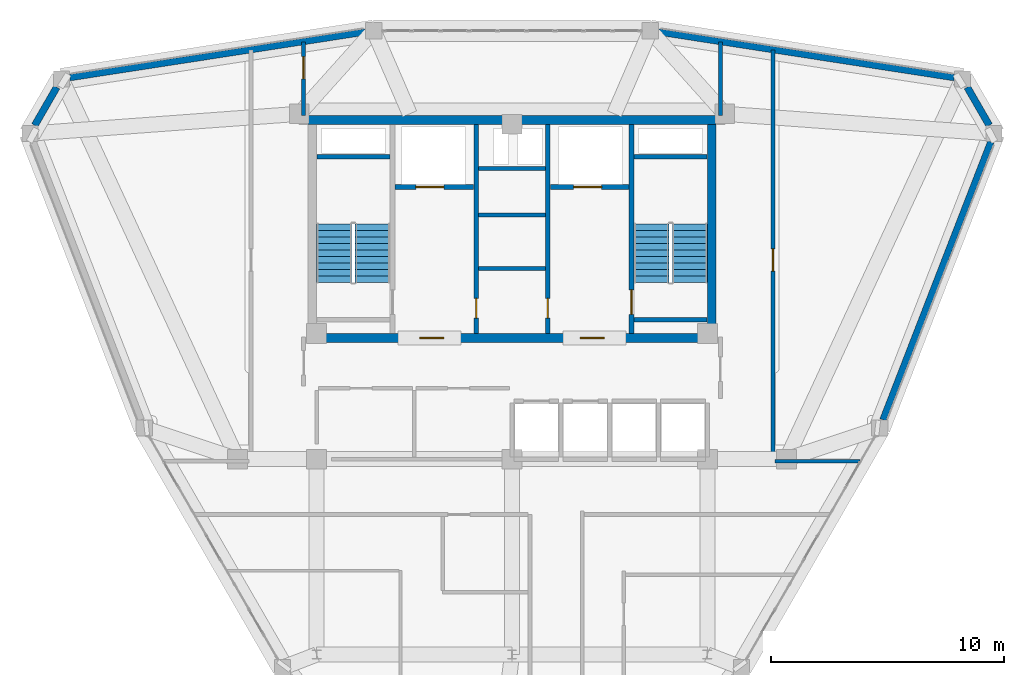
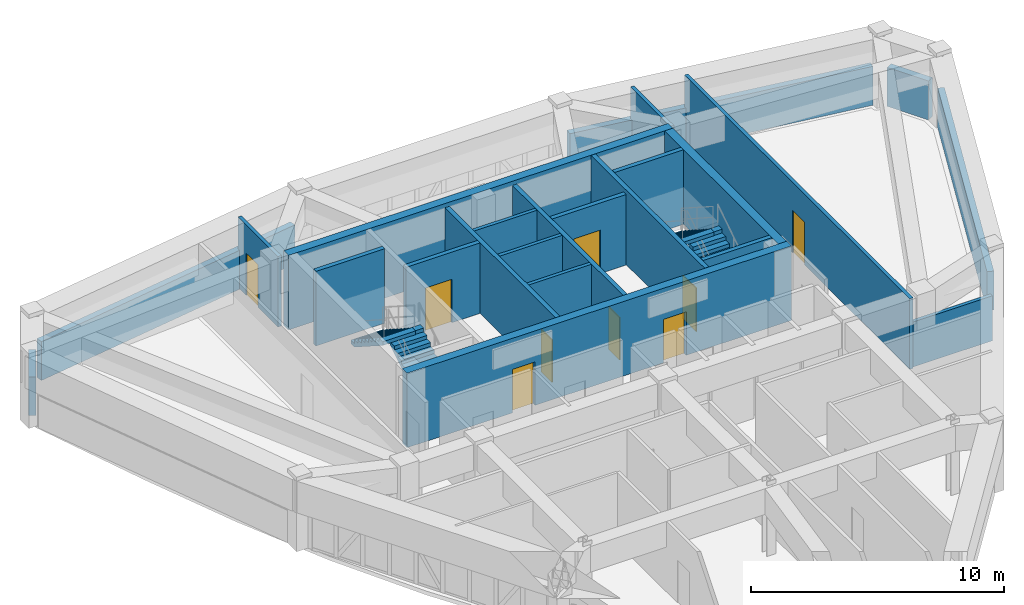
# One storey, part 14 of 16: 23 walls, 9 doors, 4 stair flights, 9 openings, 2 elements without a shape of their own.
"""IFC4 building model written with IfcOpenShell, lengths in metres."""

from ifc_helpers import new_model, si_unit, derived_unit, direction, frame, frame_2d, origin, place, context, subcontext, project, spatial, polyline, rectangle, outline, extrude, material, layer, layer_set, type_object, element, fill, aggregate, save


model = new_model("IFC4")

# Units and contexts
model_context = context("Model", 3, precision=1e-05, world=origin(), true_north=direction((0.0, 1.0)))
body_context = subcontext(model_context, "Body", "Model", "MODEL_VIEW")
ifc_project = project(units=[si_unit("LENGTHUNIT", "METRE"), si_unit("AREAUNIT", "SQUARE_METRE"), si_unit("VOLUMEUNIT", "CUBIC_METRE"), si_unit("PLANEANGLEUNIT", "RADIAN"), si_unit("MASSUNIT", "GRAM", prefix="KILO"), derived_unit("THERMALTRANSMITTANCEUNIT", [(si_unit("POWERUNIT", "WATT"), 1), (si_unit("LENGTHUNIT", "METRE"), -2), (si_unit("THERMODYNAMICTEMPERATUREUNIT", "KELVIN"), -1)])], contexts=[model_context])

# Site, building, storey
site_placement = place(None, origin())
site = spatial("IfcSite", under=ifc_project, at=site_placement, CompositionType="ELEMENT")
building_placement = place(site_placement, origin())
building = spatial("IfcBuilding", under=site, at=building_placement, Name="Korsvarv Bourse and Concert Hall", CompositionType="ELEMENT")
storey_placement = place(building_placement, frame((0.0, 0.0, 261.0)))
storey = spatial("IfcBuildingStorey", under=building, at=storey_placement, Name="L68", CompositionType="ELEMENT", Elevation=261.0)

# Wall
ifc_material_1 = material(Name="Concrete C50/60", Category="concrete")
ifc_layer_1 = layer(ifc_material_1, 0.3798828125)
ifc_layer_set_1 = layer_set([ifc_layer_1], Name="Concrete C50/60")
wall_type_1 = type_object("IfcWallType", Name="WL-CORE-380", PredefinedType="SHEAR", material=ifc_layer_set_1)
wall_1_placement = place(storey_placement, frame((27.219970703125, 46.989990234375, 0.0), z_axis=(0.0, 0.0, 1.0), x_axis=(1.0, 0.0, 0.0)))
element("IfcWall", 1, at=wall_1_placement, inside=storey, type_object=wall_type_1, Name="L68 North Core Shear Wall", PredefinedType="SHEAR", context=body_context, shape_type="SweptSolid", body=[
    extrude(rectangle(XDim=17.56005859375, YDim=0.3798828125, at=frame_2d((8.780029296875, 0.0))), origin(), (0.0, 0.0, 1.0), 3.60009765625),
])

# Wall, openings, doors
wall_2_placement = place(storey_placement, frame((27.219970703125, 37.610107421875, 0.0), z_axis=(0.0, 0.0, 1.0), x_axis=(1.0, 0.0, 0.0)))
wall_2 = element("IfcWall", 2, at=wall_2_placement, inside=storey, type_object=wall_type_1, Name="L68 South Core Shear Wall", PredefinedType="SHEAR", context=body_context, shape_type="SweptSolid", body=[
    extrude(rectangle(XDim=17.56005859375, YDim=0.3798828125, at=frame_2d((8.780029296875, 0.0))), origin(), (0.0, 0.0, 1.0), 3.60009765625),
])
opening_1_placement = place(wall_2_placement, frame((4.804931640625, 0.0, 0.0)))
opening_1 = element("IfcOpeningElement", 3, at=opening_1_placement, cuts=wall_2, Name="Opening D-01", PredefinedType="OPENING", context=body_context, shape_type="SweptSolid", body=[
    extrude(rectangle(XDim=1.050048828125, YDim=2.10009765625, at=frame_2d((0.52490234375, 1.050048828125))), frame((0.0, 0.199951171875, 0.0), z_axis=(0.0, -1.0, 0.0), x_axis=(1.0, 0.0, 0.0)), (0.0, 0.0, 1.0), 0.39990234375),
])
opening_2_placement = place(wall_2_placement, frame((11.705078125, 0.0, 0.0)))
opening_2 = element("IfcOpeningElement", 4, at=opening_2_placement, cuts=wall_2, Name="Opening D-01", PredefinedType="OPENING", context=body_context, shape_type="SweptSolid", body=[
    extrude(rectangle(XDim=1.050048828125, YDim=2.10009765625, at=frame_2d((0.52490234375, 1.050048828125))), frame((0.0, 0.199951171875, 0.0), z_axis=(0.0, -1.0, 0.0), x_axis=(1.0, 0.0, 0.0)), (0.0, 0.0, 1.0), 0.39990234375),
])
ifc_material_2 = material(Name="Steel S355 fire door", Category="steel")
door_type_1 = type_object("IfcDoorType", Name="DR-FD60", OperationType="NOTDEFINED", PredefinedType="DOOR", material=ifc_material_2)
door_1_placement = place(opening_1_placement, frame((1.050048828125, 0.0, 0.0), z_axis=(0.0, 0.0, 1.0), x_axis=(-1.0, 0.0, 0.0)))
door_1 = element("IfcDoor", 5, at=door_1_placement, inside=storey, type_object=door_type_1, Name="L68 firefighting lobby fire door DR-L68-FFLW", OperationType="SINGLE_SWING_RIGHT", OverallHeight=2.10009765625, OverallWidth=1.050048828125, PredefinedType="DOOR", context=body_context, shape_type="SweptSolid", body=[
    extrude(rectangle(XDim=1.050048828125, YDim=2.10009765625, at=frame_2d((0.52490234375, 1.050048828125))), frame((0.0, 0.02490234375, 0.0), z_axis=(0.0, -1.0, 0.0), x_axis=(1.0, 0.0, 0.0)), (0.0, 0.0, 1.0), 0.050048828125),
])
fill(opening_1, door_1)
door_2_placement = place(opening_2_placement, frame((1.050048828125, 0.0, 0.0), z_axis=(0.0, 0.0, 1.0), x_axis=(-1.0, 0.0, 0.0)))
door_2 = element("IfcDoor", 6, at=door_2_placement, inside=storey, type_object=door_type_1, Name="L68 firefighting lobby fire door DR-L68-FFLE", OperationType="SINGLE_SWING_LEFT", OverallHeight=2.10009765625, OverallWidth=1.050048828125, PredefinedType="DOOR", context=body_context, shape_type="SweptSolid", body=[
    extrude(rectangle(XDim=1.050048828125, YDim=2.10009765625, at=frame_2d((0.52490234375, 1.050048828125))), frame((0.0, 0.02490234375, 0.0), z_axis=(0.0, -1.0, 0.0), x_axis=(1.0, 0.0, 0.0)), (0.0, 0.0, 1.0), 0.050048828125),
])
fill(opening_2, door_2)

# Walls
wall_3_placement = place(storey_placement, frame((44.590087890625, 37.800048828125, 0.0), z_axis=(0.0, 0.0, 1.0), x_axis=(0.0, 1.0, 0.0)))
element("IfcWall", 7, at=wall_3_placement, inside=storey, type_object=wall_type_1, Name="L68 East Core Shear Wall", PredefinedType="SHEAR", context=body_context, shape_type="SweptSolid", body=[
    extrude(rectangle(XDim=9.0, YDim=0.3798828125, at=frame_2d((4.5, 0.0))), origin(), (0.0, 0.0, 1.0), 3.60009765625),
])
wall_4_placement = place(storey_placement, frame((27.610107421875, 45.39990234375, 0.0), z_axis=(0.0, 0.0, 1.0), x_axis=(1.0, 0.0, 0.0)))
element("IfcWall", 8, at=wall_4_placement, inside=storey, type_object=wall_type_1, Name="L68 stair shaft structural wall W-L68-ST1-N", PredefinedType="SHEAR", context=body_context, shape_type="SweptSolid", body=[
    extrude(rectangle(XDim=3.139892578125, YDim=0.199951171875, at=frame_2d((1.56982421875, 0.0))), origin(), (0.0, 0.0, 1.0), 3.60009765625),
])

# Wall, opening, door
wall_5_placement = place(storey_placement, frame((41.139892578125, 37.81005859375, 0.0), z_axis=(0.0, 0.0, 1.0), x_axis=(0.0, 1.0, 0.0)))
wall_5 = element("IfcWall", 9, at=wall_5_placement, inside=storey, type_object=wall_type_1, Name="L68 stair shaft structural wall W-L68-ST2-W", PredefinedType="SHEAR", context=body_context, shape_type="SweptSolid", body=[
    extrude(rectangle(XDim=8.97998046875, YDim=0.199951171875, at=frame_2d((4.489990234375, 0.0))), origin(), (0.0, 0.0, 1.0), 3.60009765625),
])
opening_3_placement = place(wall_5_placement, frame((0.820068359375, 0.0, 0.0)))
opening_3 = element("IfcOpeningElement", 10, at=opening_3_placement, cuts=wall_5, Name="Opening D-01", PredefinedType="OPENING", context=body_context, shape_type="SweptSolid", body=[
    extrude(rectangle(XDim=1.050048828125, YDim=2.10009765625, at=frame_2d((0.52490234375, 1.050048828125))), frame((0.0, 0.10986328125, 0.0), z_axis=(0.0, -1.0, 0.0), x_axis=(1.0, 0.0, 0.0)), (0.0, 0.0, 1.0), 0.219970703125),
])
door_3_placement = place(opening_3_placement, frame((1.050048828125, 0.0, 0.0), z_axis=(0.0, 0.0, 1.0), x_axis=(-1.0, 0.0, 0.0)))
door_3 = element("IfcDoor", 11, at=door_3_placement, inside=storey, type_object=door_type_1, Name="L68 interior door DR-L68-ST2", OperationType="SINGLE_SWING_LEFT", OverallHeight=2.10009765625, OverallWidth=1.050048828125, PredefinedType="DOOR", context=body_context, shape_type="SweptSolid", body=[
    extrude(rectangle(XDim=1.050048828125, YDim=2.10009765625, at=frame_2d((0.52490234375, 1.050048828125))), frame((0.0, 0.02490234375, 0.0), z_axis=(0.0, -1.0, 0.0), x_axis=(1.0, 0.0, 0.0)), (0.0, 0.0, 1.0), 0.050048828125),
])
fill(opening_3, door_3)

# Walls
for number, where, z_axis, x_axis, name in (
    (12, (41.25, 45.39990234375, 0.0), (0.0, 0.0, 1.0), (1.0, 0.0, 0.0), "L68 stair shaft structural wall W-L68-ST2-N"),
    (13, (41.25, 38.39990234375, 0.0), (0.0, 0.0, 1.0), (1.0, 0.0, 0.0), "L68 stair shaft structural wall W-L68-ST2-S"),
):
    element("IfcWall", number, at=place(storey_placement, frame(where, z_axis=z_axis, x_axis=x_axis)), inside=storey, type_object=wall_type_1, Name=name, PredefinedType="SHEAR", context=body_context, shape_type="SweptSolid", body=[
        extrude(rectangle(XDim=3.139892578125, YDim=0.199951171875, at=frame_2d((1.56982421875, 0.0))), origin(), (0.0, 0.0, 1.0), 3.60009765625),
    ])
ifc_material_3 = material(Name="Precast concrete C45/55 with terracotta rainscreen", Category="concrete")
ifc_layer_2 = layer(ifc_material_3, 0.300048828125)
ifc_layer_set_2 = layer_set([ifc_layer_2], Name="Precast concrete C45/55 with terracotta rainscreen")
wall_type_2 = type_object("IfcWallType", Name="WL-EXT-TC1", PredefinedType="SOLIDWALL", material=ifc_layer_set_2)
for number, where, z_axis, x_axis, name in (
    (14, (56.520263671875, 46.754150390625, 0.0), (0.0, 0.0, 1.0), (-0.499994028088, 0.866028851642, 0.0), "L68 terracotta exterior wall EW-L68-B01"),
    (15, (16.426513671875, 48.39404296875, 0.0), (0.0, 0.0, 1.0), (-0.499994028088, -0.866028851642, 0.0), "L68 terracotta exterior wall EW-L68-B05"),
):
    element("IfcWall", number, at=place(storey_placement, frame(where, z_axis=z_axis, x_axis=x_axis)), inside=storey, type_object=wall_type_2, Name=name, PredefinedType="SOLIDWALL", context=body_context, shape_type="SweptSolid", body=[
        extrude(rectangle(XDim=1.8935546875, YDim=0.300048828125, at=frame_2d((0.94677734375, 0.0))), origin(), (0.0, 0.0, 1.0), 1.8798828125),
    ])
ifc_material_4 = material(Name="Precast concrete C45/55 with fluted terracotta pier", Category="concrete")
ifc_layer_3 = layer(ifc_material_4, 0.280029296875)
ifc_layer_set_3 = layer_set([ifc_layer_3], Name="Precast concrete C45/55 with fluted terracotta pier")
wall_type_3 = type_object("IfcWallType", Name="WL-EXT-TC2", PredefinedType="SOLIDWALL", material=ifc_layer_set_3)
for number, where, z_axis, x_axis, name in (
    (16, (55.013427734375, 48.8037109375, 0.0), (0.0, 0.0, 1.0), (-0.988274295057, 0.152688957457, 0.0), "L68 terracotta exterior wall EW-L68-B02"),
    (17, (29.69921875, 50.767822265625, 0.0), (0.0, 0.0, 1.0), (-0.988274295057, -0.152688957457, 0.0), "L68 terracotta exterior wall EW-L68-B04"),
):
    element("IfcWall", number, at=place(storey_placement, frame(where, z_axis=z_axis, x_axis=x_axis)), inside=storey, type_object=wall_type_3, Name=name, PredefinedType="SOLIDWALL", context=body_context, shape_type="SweptSolid", body=[
        extrude(rectangle(XDim=12.863525390625, YDim=0.280029296875, at=frame_2d((6.431640625, 0.0))), origin(), (0.0, 0.0, 1.0), 1.8798828125),
    ])
wall_6_placement = place(storey_placement, frame((51.947509765625, 34.0927734375, 0.0), z_axis=(0.0, 0.0, 1.0), x_axis=(0.36191228283, 0.932212153716, 0.0)))
element("IfcWall", 18, at=wall_6_placement, inside=storey, type_object=wall_type_3, Name="L68 terracotta exterior wall EW-L68-B12", PredefinedType="SOLIDWALL", context=body_context, shape_type="SweptSolid", body=[
    extrude(rectangle(XDim=12.820556640625, YDim=0.280029296875, at=frame_2d((6.41015625, 0.0))), origin(), (0.0, 0.0, 1.0), 1.8798828125),
])

# Wall, opening, door
ifc_material_5 = material(Name="Reinforced concrete blockwork C35/45 fire wall", Category="concrete")
ifc_layer_4 = layer(ifc_material_5, 0.199951171875)
ifc_layer_set_4 = layer_set([ifc_layer_4], Name="Reinforced concrete blockwork C35/45 fire wall")
wall_type_4 = type_object("IfcWallType", Name="WL-INT-EI120", PredefinedType="PARTITIONING", material=ifc_layer_set_4)
wall_7_placement = place(storey_placement, frame((30.969970703125, 44.10009765625, 0.0), z_axis=(0.0, 0.0, 1.0), x_axis=(1.0, 0.0, 0.0)))
wall_7 = element("IfcWall", 19, at=wall_7_placement, inside=storey, type_object=wall_type_4, Name="L68 interior partition wall W-L68-FF1-S", PredefinedType="PARTITIONING", context=body_context, shape_type="SweptSolid", body=[
    extrude(rectangle(XDim=3.380126953125, YDim=0.199951171875, at=frame_2d((1.68994140625, 0.0))), origin(), (0.0, 0.0, 1.0), 3.409912109375),
])
opening_4_placement = place(wall_7_placement, frame((0.89990234375, 0.0, 0.0)))
opening_4 = element("IfcOpeningElement", 20, at=opening_4_placement, cuts=wall_7, Name="Opening LD-1", PredefinedType="OPENING", context=body_context, shape_type="SweptSolid", body=[
    extrude(rectangle(XDim=1.199951171875, YDim=2.10009765625, at=frame_2d((0.60009765625, 1.050048828125))), frame((0.0, 0.10986328125, 0.0), z_axis=(0.0, -1.0, 0.0), x_axis=(1.0, 0.0, 0.0)), (0.0, 0.0, 1.0), 0.219970703125),
])
ifc_material_6 = material(Name="Stainless Steel S355 firefighting lift landing door", Category="steel")
door_type_2 = type_object("IfcDoorType", Name="DR-LIFT-FF", OperationType="DOUBLE_DOOR_SLIDING", PredefinedType="DOOR", material=ifc_material_6)
door_4_placement = place(opening_4_placement, origin())
door_4 = element("IfcDoor", 21, at=door_4_placement, inside=storey, type_object=door_type_2, Name="L68 lift sliding landing door LD-L68-FF1", OperationType="DOUBLE_DOOR_SLIDING", OverallHeight=2.10009765625, OverallWidth=1.199951171875, PredefinedType="DOOR", context=body_context, shape_type="SweptSolid", body=[
    extrude(rectangle(XDim=1.199951171875, YDim=2.10009765625, at=frame_2d((0.60009765625, 1.050048828125))), frame((0.0, 0.02490234375, 0.0), z_axis=(0.0, -1.0, 0.0), x_axis=(1.0, 0.0, 0.0)), (0.0, 0.0, 1.0), 0.050048828125),
])
fill(opening_4, door_4)

wall_8_placement = place(storey_placement, frame((37.64990234375, 44.10009765625, 0.0), z_axis=(0.0, 0.0, 1.0), x_axis=(1.0, 0.0, 0.0)))
wall_8 = element("IfcWall", 22, at=wall_8_placement, inside=storey, type_object=wall_type_4, Name="L68 interior partition wall W-L68-FF2-S", PredefinedType="PARTITIONING", context=body_context, shape_type="SweptSolid", body=[
    extrude(rectangle(XDim=3.380126953125, YDim=0.199951171875, at=frame_2d((1.68994140625, 0.0))), origin(), (0.0, 0.0, 1.0), 3.409912109375),
])
opening_5_placement = place(wall_8_placement, frame((1.0, 0.0, 0.0)))
opening_5 = element("IfcOpeningElement", 23, at=opening_5_placement, cuts=wall_8, Name="Opening LD-1", PredefinedType="OPENING", context=body_context, shape_type="SweptSolid", body=[
    extrude(rectangle(XDim=1.199951171875, YDim=2.10009765625, at=frame_2d((0.60009765625, 1.050048828125))), frame((0.0, 0.10986328125, 0.0), z_axis=(0.0, -1.0, 0.0), x_axis=(1.0, 0.0, 0.0)), (0.0, 0.0, 1.0), 0.219970703125),
])
door_5_placement = place(opening_5_placement, origin())
door_5 = element("IfcDoor", 24, at=door_5_placement, inside=storey, type_object=door_type_2, Name="L68 lift sliding landing door LD-L68-FF2", OperationType="DOUBLE_DOOR_SLIDING", OverallHeight=2.10009765625, OverallWidth=1.199951171875, PredefinedType="DOOR", context=body_context, shape_type="SweptSolid", body=[
    extrude(rectangle(XDim=1.199951171875, YDim=2.10009765625, at=frame_2d((0.60009765625, 1.050048828125))), frame((0.0, 0.02490234375, 0.0), z_axis=(0.0, -1.0, 0.0), x_axis=(1.0, 0.0, 0.0)), (0.0, 0.0, 1.0), 0.050048828125),
])
fill(opening_5, door_5)

wall_9_placement = place(storey_placement, frame((34.4599609375, 37.81005859375, 0.0), z_axis=(0.0, 0.0, 1.0), x_axis=(0.0, 1.0, 0.0)))
wall_9 = element("IfcWall", 25, at=wall_9_placement, inside=storey, type_object=wall_type_4, Name="L68 interior partition wall W-L68-CSB-W", PredefinedType="PARTITIONING", context=body_context, shape_type="SweptSolid", body=[
    extrude(rectangle(XDim=8.97998046875, YDim=0.199951171875, at=frame_2d((4.489990234375, 0.0))), origin(), (0.0, 0.0, 1.0), 3.409912109375),
])
opening_6_placement = place(wall_9_placement, frame((0.64990234375, 0.0, 0.0)))
opening_6 = element("IfcOpeningElement", 26, at=opening_6_placement, cuts=wall_9, Name="Opening D-05", PredefinedType="OPENING", context=body_context, shape_type="SweptSolid", body=[
    extrude(rectangle(XDim=0.85009765625, YDim=2.050048828125, at=frame_2d((0.425048828125, 1.02490234375))), frame((0.0, 0.10986328125, 0.0), z_axis=(0.0, -1.0, 0.0), x_axis=(1.0, 0.0, 0.0)), (0.0, 0.0, 1.0), 0.219970703125),
])
door_type_3 = type_object("IfcDoorType", Name="DR-FD60-850X2050", OperationType="NOTDEFINED", PredefinedType="DOOR", material=ifc_material_2)
door_6_placement = place(opening_6_placement, frame((0.85009765625, 0.0, 0.0), z_axis=(0.0, 0.0, 1.0), x_axis=(-1.0, 0.0, 0.0)))
door_6 = element("IfcDoor", 27, at=door_6_placement, inside=storey, type_object=door_type_3, Name="L68 interior door DR-L68-CSB1", OperationType="SINGLE_SWING_RIGHT", OverallHeight=2.050048828125, OverallWidth=0.85009765625, PredefinedType="DOOR", context=body_context, shape_type="SweptSolid", body=[
    extrude(rectangle(XDim=0.85009765625, YDim=2.050048828125, at=frame_2d((0.425048828125, 1.02490234375))), frame((0.0, 0.02490234375, 0.0), z_axis=(0.0, -1.0, 0.0), x_axis=(1.0, 0.0, 0.0)), (0.0, 0.0, 1.0), 0.050048828125),
])
fill(opening_6, door_6)

wall_10_placement = place(storey_placement, frame((37.5400390625, 37.81005859375, 0.0), z_axis=(0.0, 0.0, 1.0), x_axis=(0.0, 1.0, 0.0)))
wall_10 = element("IfcWall", 28, at=wall_10_placement, inside=storey, type_object=wall_type_4, Name="L68 interior partition wall W-L68-CSB-E", PredefinedType="PARTITIONING", context=body_context, shape_type="SweptSolid", body=[
    extrude(rectangle(XDim=8.97998046875, YDim=0.199951171875, at=frame_2d((4.489990234375, 0.0))), origin(), (0.0, 0.0, 1.0), 3.409912109375),
])
opening_7_placement = place(wall_10_placement, frame((0.64990234375, 0.0, 0.0)))
opening_7 = element("IfcOpeningElement", 29, at=opening_7_placement, cuts=wall_10, Name="Opening D-05", PredefinedType="OPENING", context=body_context, shape_type="SweptSolid", body=[
    extrude(rectangle(XDim=0.85009765625, YDim=2.050048828125, at=frame_2d((0.425048828125, 1.02490234375))), frame((0.0, 0.10986328125, 0.0), z_axis=(0.0, -1.0, 0.0), x_axis=(1.0, 0.0, 0.0)), (0.0, 0.0, 1.0), 0.219970703125),
])
door_7_placement = place(opening_7_placement, origin())
door_7 = element("IfcDoor", 30, at=door_7_placement, inside=storey, type_object=door_type_3, Name="L68 interior door DR-L68-CSB2", OperationType="SINGLE_SWING_LEFT", OverallHeight=2.050048828125, OverallWidth=0.85009765625, PredefinedType="DOOR", context=body_context, shape_type="SweptSolid", body=[
    extrude(rectangle(XDim=0.85009765625, YDim=2.050048828125, at=frame_2d((0.425048828125, 1.02490234375))), frame((0.0, 0.02490234375, 0.0), z_axis=(0.0, -1.0, 0.0), x_axis=(1.0, 0.0, 0.0)), (0.0, 0.0, 1.0), 0.050048828125),
])
fill(opening_7, door_7)

# Walls
ifc_material_7 = material(Name="Double-stud fire-rated acoustic partition", Category="gypsum")
ifc_layer_5 = layer(ifc_material_7, 0.159912109375)
ifc_layer_set_5 = layer_set([ifc_layer_5], Name="Double-stud fire-rated acoustic partition")
wall_type_5 = type_object("IfcWallType", Name="WL-INT-EI60", PredefinedType="PARTITIONING", material=ifc_layer_set_5)
for number, where, z_axis, x_axis, name in (
    (31, (34.570068359375, 40.60009765625, 0.0), (0.0, 0.0, 1.0), (1.0, 0.0, 0.0), "L68 interior partition wall W-L68-K1"),
    (32, (34.570068359375, 42.89990234375, 0.0), (0.0, 0.0, 1.0), (1.0, 0.0, 0.0), "L68 interior partition wall W-L68-K2"),
    (33, (34.570068359375, 44.89990234375, 0.0), (0.0, 0.0, 1.0), (1.0, 0.0, 0.0), "L68 interior partition wall W-L68-K3"),
):
    element("IfcWall", number, at=place(storey_placement, frame(where, z_axis=z_axis, x_axis=x_axis)), inside=storey, type_object=wall_type_5, Name=name, PredefinedType="PARTITIONING", context=body_context, shape_type="SweptSolid", body=[
        extrude(rectangle(XDim=2.85986328125, YDim=0.159912109375, at=frame_2d((1.429931640625, 0.0))), origin(), (0.0, 0.0, 1.0), 3.409912109375),
    ])

# Wall, opening, door
wall_11_placement = place(storey_placement, frame((47.22509765625, 32.159912109375, 0.0), z_axis=(0.0, 0.0, 1.0), x_axis=(0.0, 1.0, 0.0)))
wall_11 = element("IfcWall", 34, at=wall_11_placement, inside=storey, type_object=wall_type_5, Name="L68 interior partition wall W-L68-TCOR-01", PredefinedType="PARTITIONING", context=body_context, shape_type="SweptSolid", body=[
    extrude(rectangle(XDim=17.8271484375, YDim=0.159912109375, at=frame_2d((8.91357421875, 0.0))), origin(), (0.0, 0.0, 1.0), 3.409912109375),
])
opening_8_placement = place(wall_11_placement, frame((8.330322265625, 0.0, 0.0)))
opening_8 = element("IfcOpeningElement", 35, at=opening_8_placement, cuts=wall_11, Name="Opening D-02", PredefinedType="OPENING", context=body_context, shape_type="SweptSolid", body=[
    extrude(rectangle(XDim=0.949951171875, YDim=2.050048828125, at=frame_2d((0.47509765625, 1.02490234375))), frame((0.0, 0.08984375, 0.0), z_axis=(0.0, -1.0, 0.0), x_axis=(1.0, 0.0, 0.0)), (0.0, 0.0, 1.0), 0.179931640625),
])
ifc_material_8 = material(Name="Timber and steel acoustic fire door", Category="wood")
door_type_4 = type_object("IfcDoorType", Name="DR-FD30", OperationType="NOTDEFINED", PredefinedType="DOOR", material=ifc_material_8)
door_8_placement = place(opening_8_placement, origin())
door_8 = element("IfcDoor", 36, at=door_8_placement, inside=storey, type_object=door_type_4, Name="L68 interior door DR-L68-TCOR-NEP1", OperationType="SINGLE_SWING_RIGHT", OverallHeight=2.050048828125, OverallWidth=0.949951171875, PredefinedType="DOOR", context=body_context, shape_type="SweptSolid", body=[
    extrude(rectangle(XDim=0.949951171875, YDim=2.050048828125, at=frame_2d((0.47509765625, 1.02490234375))), frame((0.0, 0.02490234375, 0.0), z_axis=(0.0, -1.0, 0.0), x_axis=(1.0, 0.0, 0.0)), (0.0, 0.0, 1.0), 0.050048828125),
])
fill(opening_8, door_8)

# Wall
wall_12_placement = place(storey_placement, frame((47.306884765625, 32.31494140625, 0.0), z_axis=(0.0, 0.0, 1.0), x_axis=(1.0, 0.0, 0.0)))
element("IfcWall", 37, at=wall_12_placement, inside=storey, type_object=wall_type_5, Name="L68 interior partition wall W-L68-TCOR-08", PredefinedType="PARTITIONING", context=body_context, shape_type="SweptSolid", body=[
    extrude(rectangle(XDim=3.661376953125, YDim=0.159912109375, at=frame_2d((1.83056640625, 0.0))), origin(), (0.0, 0.0, 1.0), 2.169921875),
])

# Wall, opening, door
wall_13_placement = place(storey_placement, frame((27.034912109375, 47.179931640625, 0.0), z_axis=(0.0, 0.0, 1.0), x_axis=(0.0, 1.0, 0.0)))
wall_13 = element("IfcWall", 38, at=wall_13_placement, inside=storey, type_object=wall_type_5, Name="L68 interior partition wall W-L68-TCOR-09", PredefinedType="PARTITIONING", context=body_context, shape_type="SweptSolid", body=[
    extrude(rectangle(XDim=3.15625, YDim=0.159912109375, at=frame_2d((1.578125, 0.0))), origin(), (0.0, 0.0, 1.0), 3.409912109375),
])
opening_9_placement = place(wall_13_placement, frame((1.576171875, 0.0, 0.0)))
opening_9 = element("IfcOpeningElement", 39, at=opening_9_placement, cuts=wall_13, Name="Opening D-02", PredefinedType="OPENING", context=body_context, shape_type="SweptSolid", body=[
    extrude(rectangle(XDim=0.949951171875, YDim=2.050048828125, at=frame_2d((0.47509765625, 1.02490234375))), frame((0.0, 0.08984375, 0.0), z_axis=(0.0, -1.0, 0.0), x_axis=(1.0, 0.0, 0.0)), (0.0, 0.0, 1.0), 0.179931640625),
])
door_9_placement = place(opening_9_placement, origin())
door_9 = element("IfcDoor", 40, at=door_9_placement, inside=storey, type_object=door_type_4, Name="L68 interior door DR-L68-TCOR-NWB4", OperationType="SINGLE_SWING_LEFT", OverallHeight=2.050048828125, OverallWidth=0.949951171875, PredefinedType="DOOR", context=body_context, shape_type="SweptSolid", body=[
    extrude(rectangle(XDim=0.949951171875, YDim=2.050048828125, at=frame_2d((0.47509765625, 1.02490234375))), frame((0.0, 0.02490234375, 0.0), z_axis=(0.0, -1.0, 0.0), x_axis=(1.0, 0.0, 0.0)), (0.0, 0.0, 1.0), 0.050048828125),
])
fill(opening_9, door_9)

# Wall
wall_14_placement = place(storey_placement, frame((44.965087890625, 47.18310546875, 0.0), z_axis=(0.0, 0.0, 1.0), x_axis=(0.0, 1.0, 0.0)))
element("IfcWall", 41, at=wall_14_placement, inside=storey, type_object=wall_type_5, Name="L68 interior partition wall W-L68-TCOR-10", PredefinedType="PARTITIONING", context=body_context, shape_type="SweptSolid", body=[
    extrude(rectangle(XDim=3.153076171875, YDim=0.159912109375, at=frame_2d((1.57666015625, 0.0))), origin(), (0.0, 0.0, 1.0), 3.409912109375),
])

# Stair, stair flights
ifc_material_9 = material(Name="Precast concrete C45/55", Category="concrete")
stair_type = type_object("IfcStairType", Name="STR-TYPE-04", PredefinedType="HALF_TURN_STAIR", material=ifc_material_9)
stair_1_placement = place(storey_placement, origin())
stair_1 = element("IfcStair", 42, at=stair_1_placement, inside=storey, type_object=stair_type, Name="L68 Tower West Exit Stair ST-T1", PredefinedType="HALF_TURN_STAIR")
stair_flight_type = type_object("IfcStairFlightType", Name="FLT-TYPE-04", PredefinedType="STRAIGHT", material=ifc_material_9)
stair_flight_1_placement = place(storey_placement, frame((30.010009765625, 40.0, 0.0), z_axis=(0.0, 0.0, 1.0), x_axis=(0.0, 1.0, 0.0)))
stair_flight_1 = element("IfcStairFlight", 43, at=stair_flight_1_placement, type_object=stair_flight_type, Name="ST-T1 flight 1", NumberOfRisers=10, NumberOfTreads=9, PredefinedType="STRAIGHT", RiserHeight=0.18, TreadLength=0.28, context=body_context, shape_type="SweptSolid", body=[
    extrude(outline(polyline([(0.0, 0.0), (0.0, 0.179931640625), (0.280029296875, 0.179931640625), (0.280029296875, 0.360107421875), (0.56005859375, 0.360107421875), (0.56005859375, 0.5400390625), (0.840087890625, 0.5400390625), (0.840087890625, 0.719970703125), (1.1201171875, 0.719970703125), (1.1201171875, 0.89990234375), (1.39990234375, 0.89990234375), (1.39990234375, 1.080078125), (1.679931640625, 1.080078125), (1.679931640625, 1.260009765625), (1.9599609375, 1.260009765625), (1.9599609375, 1.43994140625), (2.239990234375, 1.43994140625), (2.239990234375, 1.6201171875), (2.52001953125, 1.6201171875), (2.52001953125, 1.800048828125), (2.52001953125, 1.44189453125), (0.277099609375, 0.0), (0.0, 0.0)])), frame((0.0, 0.75, 0.0), z_axis=(0.0, -1.0, 0.0), x_axis=(1.0, 0.0, 0.0)), (0.0, 0.0, 1.0), 1.5),
])
stair_flight_2_placement = place(storey_placement, frame((28.35009765625, 42.52001953125, 1.800048828125), z_axis=(0.0, 0.0, 1.0), x_axis=(0.0, -1.0, 0.0)))
stair_flight_2 = element("IfcStairFlight", 44, at=stair_flight_2_placement, type_object=stair_flight_type, Name="ST-T1 flight 2", NumberOfRisers=10, NumberOfTreads=9, PredefinedType="STRAIGHT", RiserHeight=0.18, TreadLength=0.28, context=body_context, shape_type="SweptSolid", body=[
    extrude(outline(polyline([(0.0, 0.0), (0.0, 0.179931640625), (0.280029296875, 0.179931640625), (0.280029296875, 0.360107421875), (0.56005859375, 0.360107421875), (0.56005859375, 0.5400390625), (0.840087890625, 0.5400390625), (0.840087890625, 0.719970703125), (1.1201171875, 0.719970703125), (1.1201171875, 0.89990234375), (1.39990234375, 0.89990234375), (1.39990234375, 1.080078125), (1.679931640625, 1.080078125), (1.679931640625, 1.260009765625), (1.9599609375, 1.260009765625), (1.9599609375, 1.43994140625), (2.239990234375, 1.43994140625), (2.239990234375, 1.6201171875), (2.52001953125, 1.6201171875), (2.52001953125, 1.800048828125), (2.52001953125, 1.44189453125), (0.277099609375, 0.0), (0.0, 0.0)])), frame((0.0, 0.75, 0.0), z_axis=(0.0, -1.0, 0.0), x_axis=(1.0, 0.0, 0.0)), (0.0, 0.0, 1.0), 1.5),
])
aggregate(stair_1, [stair_flight_1, stair_flight_2])

stair_2_placement = place(storey_placement, origin())
stair_2 = element("IfcStair", 45, at=stair_2_placement, inside=storey, type_object=stair_type, Name="L68 Tower East Exit Stair ST-T2", PredefinedType="HALF_TURN_STAIR")
stair_flight_3_placement = place(storey_placement, frame((43.64990234375, 40.0, 0.0), z_axis=(0.0, 0.0, 1.0), x_axis=(0.0, 1.0, 0.0)))
stair_flight_3 = element("IfcStairFlight", 46, at=stair_flight_3_placement, type_object=stair_flight_type, Name="ST-T2 flight 1", NumberOfRisers=10, NumberOfTreads=9, PredefinedType="STRAIGHT", RiserHeight=0.18, TreadLength=0.28, context=body_context, shape_type="SweptSolid", body=[
    extrude(outline(polyline([(0.0, 0.0), (0.0, 0.179931640625), (0.280029296875, 0.179931640625), (0.280029296875, 0.360107421875), (0.56005859375, 0.360107421875), (0.56005859375, 0.5400390625), (0.840087890625, 0.5400390625), (0.840087890625, 0.719970703125), (1.1201171875, 0.719970703125), (1.1201171875, 0.89990234375), (1.39990234375, 0.89990234375), (1.39990234375, 1.080078125), (1.679931640625, 1.080078125), (1.679931640625, 1.260009765625), (1.9599609375, 1.260009765625), (1.9599609375, 1.43994140625), (2.239990234375, 1.43994140625), (2.239990234375, 1.6201171875), (2.52001953125, 1.6201171875), (2.52001953125, 1.800048828125), (2.52001953125, 1.44189453125), (0.277099609375, 0.0), (0.0, 0.0)])), frame((0.0, 0.75, 0.0), z_axis=(0.0, -1.0, 0.0), x_axis=(1.0, 0.0, 0.0)), (0.0, 0.0, 1.0), 1.5),
])
stair_flight_4_placement = place(storey_placement, frame((41.989990234375, 42.52001953125, 1.800048828125), z_axis=(0.0, 0.0, 1.0), x_axis=(0.0, -1.0, 0.0)))
stair_flight_4 = element("IfcStairFlight", 47, at=stair_flight_4_placement, type_object=stair_flight_type, Name="ST-T2 flight 2", NumberOfRisers=10, NumberOfTreads=9, PredefinedType="STRAIGHT", RiserHeight=0.18, TreadLength=0.28, context=body_context, shape_type="SweptSolid", body=[
    extrude(outline(polyline([(0.0, 0.0), (0.0, 0.179931640625), (0.280029296875, 0.179931640625), (0.280029296875, 0.360107421875), (0.56005859375, 0.360107421875), (0.56005859375, 0.5400390625), (0.840087890625, 0.5400390625), (0.840087890625, 0.719970703125), (1.1201171875, 0.719970703125), (1.1201171875, 0.89990234375), (1.39990234375, 0.89990234375), (1.39990234375, 1.080078125), (1.679931640625, 1.080078125), (1.679931640625, 1.260009765625), (1.9599609375, 1.260009765625), (1.9599609375, 1.43994140625), (2.239990234375, 1.43994140625), (2.239990234375, 1.6201171875), (2.52001953125, 1.6201171875), (2.52001953125, 1.800048828125), (2.52001953125, 1.44189453125), (0.277099609375, 0.0), (0.0, 0.0)])), frame((0.0, 0.75, 0.0), z_axis=(0.0, -1.0, 0.0), x_axis=(1.0, 0.0, 0.0)), (0.0, 0.0, 1.0), 1.5),
])
aggregate(stair_2, [stair_flight_3, stair_flight_4])

save(model, "model.ifc")
